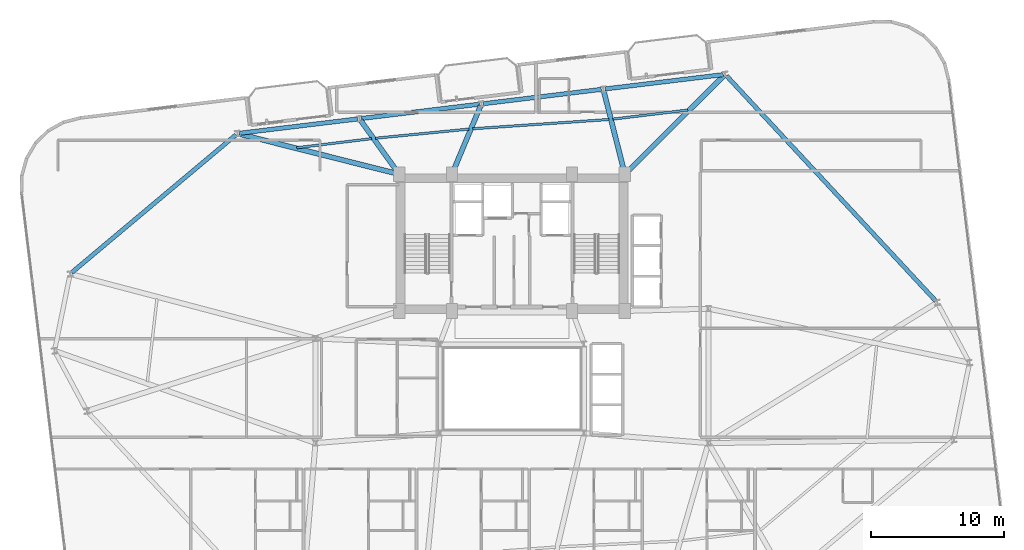
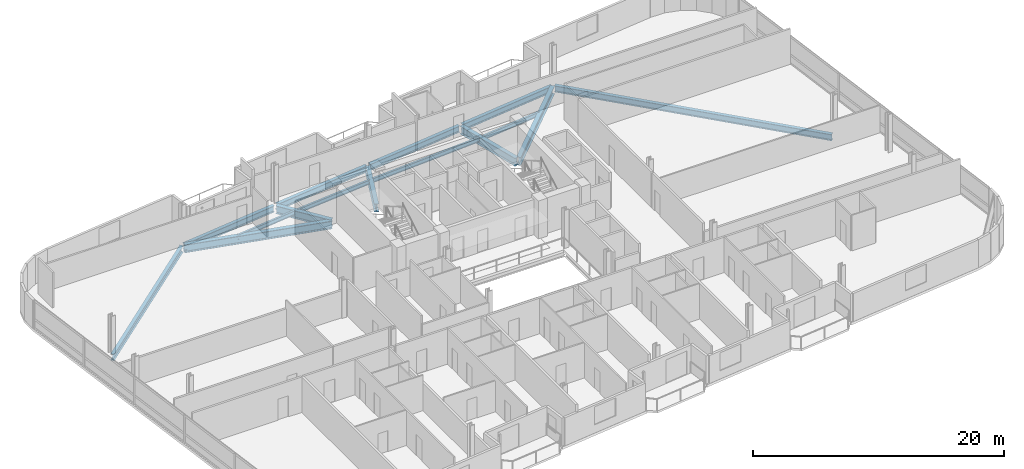
# One storey, part 9 of 24: 15 beams.
"""IFC4 building model written with IfcOpenShell, lengths in metres."""

from ifc_helpers import new_model, si_unit, direction, frame, origin, origin_2d, place, context, subcontext, project, spatial, i_section, extrude, material, material_profile, profile_set, type_object, element, save


model = new_model("IFC4")

# Units and contexts
model_context = context("Model", 3, precision=1e-05, world=origin(), true_north=direction((0.0, 1.0)))
body_context = subcontext(model_context, "Body", "Model", "MODEL_VIEW")
ifc_project = project(units=[si_unit("LENGTHUNIT", "METRE"), si_unit("AREAUNIT", "SQUARE_METRE"), si_unit("VOLUMEUNIT", "CUBIC_METRE"), si_unit("PLANEANGLEUNIT", "RADIAN"), si_unit("MASSUNIT", "GRAM", prefix="KILO")], contexts=[model_context])

# Site, building, storey
site_placement = place(None, origin())
site = spatial("IfcSite", under=ifc_project, at=site_placement, CompositionType="ELEMENT")
building_placement = place(site_placement, origin())
building = spatial("IfcBuilding", under=site, at=building_placement, Name="Varnelok Gate Tower", CompositionType="ELEMENT")
storey_placement = place(building_placement, frame((0.0, 0.0, 196.800048828125)))
storey = spatial("IfcBuildingStorey", under=building, at=storey_placement, Name="L50", CompositionType="ELEMENT", Elevation=196.800048828125)

# Beams
ifc_material = material(Name="Structural Steel ASTM A992 Grade 50", Category="steel")
ifc_material_profile_1 = material_profile(ifc_material, i_section(OverallWidth=0.180908203125, OverallDepth=0.4169921875, WebThickness=0.010986328125, FlangeThickness=0.018310546875, FilletRadius=0.013916015625, at=origin_2d()), Name="W16X57")
ifc_profile_set_1 = profile_set([ifc_material_profile_1], Name="Structural Steel ASTM A992 Grade 50")
beam_type_1 = type_object("IfcBeamType", Name="BM-JST-W16X57", PredefinedType="JOIST", material=ifc_profile_set_1)
beam_1_placement = place(storey_placement, frame((52.435546875, 43.881591796875, -0.45849609375), z_axis=(-0.992732072323, -0.12034547179, 0.0), x_axis=(0.12034547179, -0.992732072323, 0.0)))
element("IfcBeam", 1, at=beam_1_placement, inside=storey, type_object=beam_type_1, Name="L50 Sector Floor Joist 7", PredefinedType="JOIST", context=body_context, shape_type="SweptSolid", body=[
    extrude(i_section(OverallWidth=0.180908203125, OverallDepth=0.4169921875, WebThickness=0.010986328125, FlangeThickness=0.018310546875, FilletRadius=0.013916015625, at=origin_2d()), origin(), (0.0, 0.0, 1.0), 5.686279296875),
])
beam_2_placement = place(storey_placement, frame((46.511962890625, 43.1708984375, -0.45849609375), z_axis=(-0.997689983187, -0.067931564447, 0.0), x_axis=(0.067931564447, -0.997689983187, 0.0)))
element("IfcBeam", 2, at=beam_2_placement, inside=storey, type_object=beam_type_1, Name="L50 Sector Floor Joist 8", PredefinedType="JOIST", context=body_context, shape_type="SweptSolid", body=[
    extrude(i_section(OverallWidth=0.180908203125, OverallDepth=0.4169921875, WebThickness=0.010986328125, FlangeThickness=0.018310546875, FilletRadius=0.013916015625, at=origin_2d()), origin(), (0.0, 0.0, 1.0), 10.289306640625),
])
beam_3_placement = place(storey_placement, frame((35.96728515625, 42.44873046875, -0.45849609375), z_axis=(-0.995244965706, -0.097403584307, 0.0), x_axis=(0.097403584307, -0.995244965706, 0.0)))
element("IfcBeam", 3, at=beam_3_placement, inside=storey, type_object=beam_type_1, Name="L50 Sector Floor Joist 9", PredefinedType="JOIST", context=body_context, shape_type="SweptSolid", body=[
    extrude(i_section(OverallWidth=0.180908203125, OverallDepth=0.4169921875, WebThickness=0.010986328125, FlangeThickness=0.018310546875, FilletRadius=0.013916015625, at=origin_2d()), origin(), (0.0, 0.0, 1.0), 7.0908203125),
])
beam_4_placement = place(storey_placement, frame((28.6318359375, 41.7275390625, -0.45849609375), z_axis=(-0.992732072323, -0.12034547179, 0.0), x_axis=(0.12034547179, -0.992732072323, 0.0)))
element("IfcBeam", 4, at=beam_4_placement, inside=storey, type_object=beam_type_1, Name="L50 Sector Floor Joist 10", PredefinedType="JOIST", context=body_context, shape_type="SweptSolid", body=[
    extrude(i_section(OverallWidth=0.180908203125, OverallDepth=0.4169921875, WebThickness=0.010986328125, FlangeThickness=0.018310546875, FilletRadius=0.013916015625, at=origin_2d()), origin(), (0.0, 0.0, 1.0), 5.686279296875),
])
ifc_material_profile_2 = material_profile(ifc_material, i_section(OverallWidth=0.381103515625, OverallDepth=0.77294921875, WebThickness=0.0166015625, FlangeThickness=0.027099609375, FilletRadius=0.02197265625, at=origin_2d()), Name="W30X173")
ifc_profile_set_2 = profile_set([ifc_material_profile_2], Name="Structural Steel ASTM A992 Grade 50")
beam_type_2 = type_object("IfcBeamType", Name="BM-PRI-W30X173", PredefinedType="BEAM", material=ifc_profile_set_2)
beam_5_placement = place(storey_placement, frame((47.806396484375, 39.15576171875, -0.636474609375), z_axis=(0.708989690383, 0.705218844707, 0.0), x_axis=(-0.705218844707, 0.708989690383, 0.0)))
element("IfcBeam", 5, at=beam_5_placement, inside=storey, type_object=beam_type_2, Name="L50 Radial Floor Girder 9", PredefinedType="BEAM", context=body_context, shape_type="SweptSolid", body=[
    extrude(i_section(OverallWidth=0.381103515625, OverallDepth=0.77294921875, WebThickness=0.0166015625, FlangeThickness=0.027099609375, FilletRadius=0.02197265625, at=origin_2d()), origin(), (0.0, 0.0, 1.0), 10.359130859375),
])
beam_6_placement = place(storey_placement, frame((47.6630859375, 39.1953125, -0.636474609375), z_axis=(-0.246004343354, 0.969268725922, 0.0), x_axis=(-0.969268725922, -0.246004343354, 0.0)))
element("IfcBeam", 6, at=beam_6_placement, inside=storey, type_object=beam_type_2, Name="L50 Radial Floor Girder 10", PredefinedType="BEAM", context=body_context, shape_type="SweptSolid", body=[
    extrude(i_section(OverallWidth=0.381103515625, OverallDepth=0.77294921875, WebThickness=0.0166015625, FlangeThickness=0.027099609375, FilletRadius=0.02197265625, at=origin_2d()), origin(), (0.0, 0.0, 1.0), 6.306884765625),
])
beam_7_placement = place(storey_placement, frame((34.73779296875, 39.1884765625, -0.636474609375), z_axis=(0.38573799398, 0.922608367619, 0.0), x_axis=(-0.922608367619, 0.38573799398, 0.0)))
element("IfcBeam", 7, at=beam_7_placement, inside=storey, type_object=beam_type_2, Name="L50 Radial Floor Girder 11", PredefinedType="BEAM", context=body_context, shape_type="SweptSolid", body=[
    extrude(i_section(OverallWidth=0.381103515625, OverallDepth=0.77294921875, WebThickness=0.0166015625, FlangeThickness=0.027099609375, FilletRadius=0.02197265625, at=origin_2d()), origin(), (0.0, 0.0, 1.0), 5.434326171875),
])
beam_8_placement = place(storey_placement, frame((30.61279296875, 39.172119140625, -0.636474609375), z_axis=(-0.582178250272, 0.81306118153, 0.0), x_axis=(-0.81306118153, -0.582178250272, 0.0)))
element("IfcBeam", 8, at=beam_8_placement, inside=storey, type_object=beam_type_2, Name="L50 Radial Floor Girder 12", PredefinedType="BEAM", context=body_context, shape_type="SweptSolid", body=[
    extrude(i_section(OverallWidth=0.381103515625, OverallDepth=0.77294921875, WebThickness=0.0166015625, FlangeThickness=0.027099609375, FilletRadius=0.02197265625, at=origin_2d()), origin(), (0.0, 0.0, 1.0), 4.837646484375),
])
beam_9_placement = place(storey_placement, frame((30.554443359375, 39.086669921875, -0.636474609375), z_axis=(-0.969752143123, 0.244091746906, 0.0), x_axis=(-0.244091746906, -0.969752143123, 0.0)))
element("IfcBeam", 9, at=beam_9_placement, inside=storey, type_object=beam_type_2, Name="L50 Radial Floor Girder 13", PredefinedType="BEAM", context=body_context, shape_type="SweptSolid", body=[
    extrude(i_section(OverallWidth=0.381103515625, OverallDepth=0.77294921875, WebThickness=0.0166015625, FlangeThickness=0.027099609375, FilletRadius=0.02197265625, at=origin_2d()), origin(), (0.0, 0.0, 1.0), 12.25341796875),
])
ifc_material_profile_3 = material_profile(ifc_material, i_section(OverallWidth=0.323974609375, OverallDepth=0.611083984375, WebThickness=0.0126953125, FlangeThickness=0.01904296875, FilletRadius=0.01806640625, at=origin_2d()), Name="W24X104")
ifc_profile_set_3 = profile_set([ifc_material_profile_3], Name="Structural Steel ASTM A992 Grade 50")
beam_type_3 = type_object("IfcBeamType", Name="BM-SPN-W24X104", PredefinedType="SPANDREL", material=ifc_profile_set_3)
beam_10_placement = place(storey_placement, frame((71.123291015625, 29.49365234375, -0.5556640625), z_axis=(-0.680734113922, 0.732530590585, 0.0), x_axis=(-0.732530590585, -0.680734113922, 0.0)))
element("IfcBeam", 10, at=beam_10_placement, inside=storey, type_object=beam_type_3, Name="L50 Perimeter Spandrel Beam 8", PredefinedType="SPANDREL", context=body_context, shape_type="SweptSolid", body=[
    extrude(i_section(OverallWidth=0.323974609375, OverallDepth=0.611083984375, WebThickness=0.0126953125, FlangeThickness=0.01904296875, FilletRadius=0.01806640625, at=origin_2d()), origin(), (0.0, 0.0, 1.0), 23.1572265625),
])
for number, where, z_axis, x_axis, name in (
    (11, (55.1083984375, 46.548828125, -0.5556640625), (-0.992734670707, -0.120324035735, 0.0), (0.120324035735, -0.992734670707, 0.0), "L50 Perimeter Spandrel Beam 9"),
    (12, (45.92578125, 45.435791015625, -0.5556640625), (-0.99273141198, -0.120350918849, 0.0), (0.120350918849, -0.99273141198, 0.0), "L50 Perimeter Spandrel Beam 10"),
    (13, (36.742919921875, 44.322509765625, -0.5556640625), (-0.992734670707, -0.120324035735, 0.0), (0.120324035735, -0.992734670707, 0.0), "L50 Perimeter Spandrel Beam 11"),
    (14, (27.56005859375, 43.209228515625, -0.5556640625), (-0.992734670707, -0.120324035735, 0.0), (0.120324035735, -0.992734670707, 0.0), "L50 Perimeter Spandrel Beam 12"),
):
    element("IfcBeam", number, at=place(storey_placement, frame(where, z_axis=z_axis, x_axis=x_axis)), inside=storey, type_object=beam_type_3, Name=name, PredefinedType="SPANDREL", context=body_context, shape_type="SweptSolid", body=[
        extrude(i_section(OverallWidth=0.323974609375, OverallDepth=0.611083984375, WebThickness=0.0126953125, FlangeThickness=0.01904296875, FilletRadius=0.01806640625, at=origin_2d()), origin(), (0.0, 0.0, 1.0), 8.949951171875),
    ])
beam_11_placement = place(storey_placement, frame((18.411376953125, 42.017822265625, -0.5556640625), z_axis=(-0.766099582792, -0.642721891059, 0.0), x_axis=(0.642721891059, -0.766099582792, 0.0)))
element("IfcBeam", 15, at=beam_11_placement, inside=storey, type_object=beam_type_3, Name="L50 Perimeter Spandrel Beam 13", PredefinedType="SPANDREL", context=body_context, shape_type="SweptSolid", body=[
    extrude(i_section(OverallWidth=0.323974609375, OverallDepth=0.611083984375, WebThickness=0.0126953125, FlangeThickness=0.01904296875, FilletRadius=0.01806640625, at=origin_2d()), origin(), (0.0, 0.0, 1.0), 16.151123046875),
])

save(model, "model.ifc")
